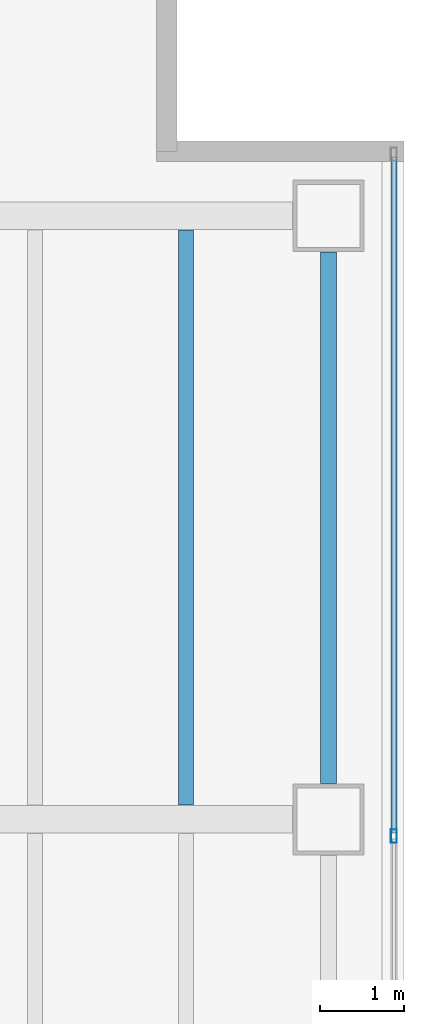
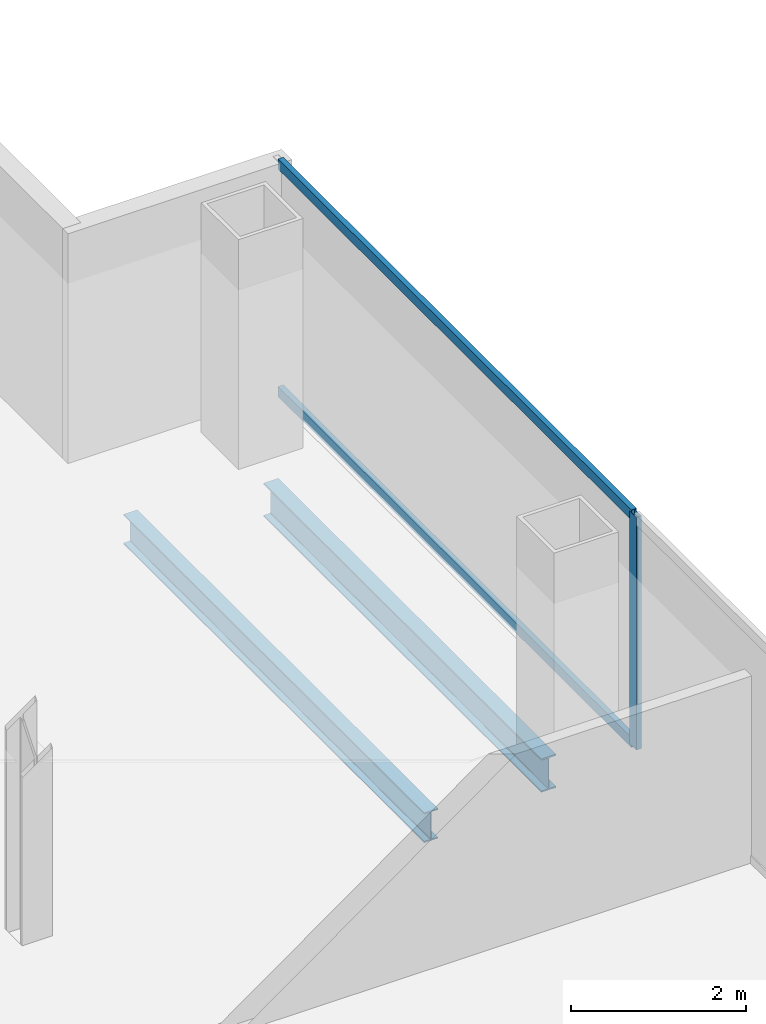
# One storey, part 14 of 23: 3 members, 2 beams, 1 element without a shape of its own.
"""IFC4 building model written with IfcOpenShell, lengths in metres."""

from ifc_helpers import new_model, si_unit, direction, frame, origin, origin_2d, place, context, subcontext, project, spatial, hollow_rectangle, i_section, extrude, material, material_profile, profile_set, type_object, element, aggregate, save


model = new_model("IFC4")

# Units and contexts
model_context = context("Model", 3, precision=1e-05, world=origin(), true_north=direction((0.0, 1.0)))
body_context = subcontext(model_context, "Body", "Model", "MODEL_VIEW")
ifc_project = project(units=[si_unit("LENGTHUNIT", "METRE"), si_unit("AREAUNIT", "SQUARE_METRE"), si_unit("VOLUMEUNIT", "CUBIC_METRE"), si_unit("PLANEANGLEUNIT", "RADIAN"), si_unit("MASSUNIT", "GRAM", prefix="KILO")], contexts=[model_context])

# Site, building, storey
site_placement = place(None, origin())
site = spatial("IfcSite", under=ifc_project, at=site_placement, CompositionType="ELEMENT")
building_placement = place(site_placement, origin())
building = spatial("IfcBuilding", under=site, at=building_placement, Name="Cobrela Telecom Tower", CompositionType="ELEMENT")
storey_placement = place(building_placement, frame((0.0, 0.0, 173.25)))
storey = spatial("IfcBuildingStorey", under=building, at=storey_placement, Name="L43", CompositionType="ELEMENT", Elevation=173.25)

# Beams
ifc_material_1 = material(Name="Steel ASTM A992 Grade 50", Category="steel")
ifc_material_profile_1 = material_profile(ifc_material_1, i_section(OverallWidth=0.179931640625, OverallDepth=0.4169921875, WebThickness=0.010986328125, FlangeThickness=0.01806640625, FilletRadius=0.011962890625, at=origin_2d()), Name="W16X57")
ifc_profile_set_1 = profile_set([ifc_material_profile_1], Name="Steel ASTM A992 Grade 50")
beam_type_1 = type_object("IfcBeamType", Name="BM-JOIST-04", PredefinedType="JOIST", material=ifc_profile_set_1)
beam_1_placement = place(storey_placement, frame((41.39990234375, 14.569091796875, -0.468505859375), z_axis=(0.0, 1.0, 0.0), x_axis=(-1.0, 0.0, 0.0)))
element("IfcBeam", 1, at=beam_1_placement, inside=storey, type_object=beam_type_1, Name="L43 Secondary Composite Floor Beam J30", PredefinedType="JOIST", context=body_context, shape_type="SweptSolid", body=[
    extrude(i_section(OverallWidth=0.179931640625, OverallDepth=0.4169921875, WebThickness=0.010986328125, FlangeThickness=0.01806640625, FilletRadius=0.011962890625, at=origin_2d()), origin(), (0.0, 0.0, 1.0), 6.86181640625),
])
ifc_material_profile_2 = material_profile(ifc_material_1, i_section(OverallWidth=0.193115234375, OverallDepth=0.467041015625, WebThickness=0.011474609375, FlangeThickness=0.01904296875, FilletRadius=0.012939453125, at=origin_2d()), Name="W18X65")
ifc_profile_set_2 = profile_set([ifc_material_profile_2], Name="Steel ASTM A992 Grade 50")
beam_type_2 = type_object("IfcBeamType", Name="BM-SPAND-05", PredefinedType="SPANDREL", material=ifc_profile_set_2)
beam_2_placement = place(storey_placement, frame((43.10009765625, 14.830078125, -0.493408203125), z_axis=(0.0, 1.0, 0.0), x_axis=(-1.0, 0.0, 0.0)))
element("IfcBeam", 2, at=beam_2_placement, inside=storey, type_object=beam_type_2, Name="L43 Perimeter Spandrel Y43", PredefinedType="SPANDREL", context=body_context, shape_type="SweptSolid", body=[
    extrude(i_section(OverallWidth=0.193115234375, OverallDepth=0.467041015625, WebThickness=0.011474609375, FlangeThickness=0.01904296875, FilletRadius=0.012939453125, at=origin_2d()), origin(), (0.0, 0.0, 1.0), 6.33984375),
])

# Curtain wall, members
ifc_material_2 = material(Name="Anodized Bronze Aluminium 6063-T6", Category="aluminium")
curtain_wall_type = type_object("IfcCurtainWallType", Name="CW-SYS-OFF-LO", PredefinedType="USERDEFINED", material=ifc_material_2)
curtain_wall_placement = place(storey_placement, origin())
curtain_wall = element("IfcCurtainWall", 3, at=curtain_wall_placement, inside=storey, type_object=curtain_wall_type, Name="L43 Unitised Bronze Curtain Wall 14", ObjectType="UNITISED CURTAIN WALL", PredefinedType="USERDEFINED")
ifc_material_profile_3 = material_profile(ifc_material_2, hollow_rectangle(XDim=0.070068359375, YDim=0.159912109375, WallThickness=0.00390625, at=origin_2d()), Name="ALU 70x160x4")
ifc_profile_set_3 = profile_set([ifc_material_profile_3], Name="Anodized Bronze Aluminium 6063-T6")
member_type_1 = type_object("IfcMemberType", Name="CW-SYS-OFF-LO-MUL", PredefinedType="MULLION", material=ifc_profile_set_3)
member_1_placement = place(storey_placement, frame((43.8798828125, 14.199951171875, 0.0), z_axis=(0.0, 0.0, 1.0), x_axis=(1.0, 0.0, 0.0)))
member_1 = element("IfcMember", 4, at=member_1_placement, type_object=member_type_1, Name="CW-OFF-LO mullion 2", PredefinedType="MULLION", context=body_context, shape_type="SweptSolid", body=[
    extrude(hollow_rectangle(XDim=0.070068359375, YDim=0.159912109375, WallThickness=0.00390625, at=origin_2d()), origin(), (0.0, 0.0, 1.0), 3.239990234375),
])
ifc_material_profile_4 = material_profile(ifc_material_2, hollow_rectangle(XDim=0.070068359375, YDim=0.139892578125, WallThickness=0.00390625, at=origin_2d()), Name="ALU 70x140x4")
ifc_profile_set_4 = profile_set([ifc_material_profile_4], Name="Anodized Bronze Aluminium 6063-T6")
member_type_2 = type_object("IfcMemberType", Name="CW-SYS-OFF-LO-TRN", PredefinedType="USERDEFINED", material=ifc_profile_set_4)
member_2_placement = place(storey_placement, frame((43.8798828125, 22.300048828125, 0.034912109375), z_axis=(0.0, -1.0, 0.0), x_axis=(1.0, 0.0, 0.0)))
member_2 = element("IfcMember", 5, at=member_2_placement, type_object=member_type_2, Name="CW-OFF-LO transom 1.1", ObjectType="TRANSOM", PredefinedType="USERDEFINED", context=body_context, shape_type="SweptSolid", body=[
    extrude(hollow_rectangle(XDim=0.070068359375, YDim=0.139892578125, WallThickness=0.00390625, at=origin_2d()), origin(), (0.0, 0.0, 1.0), 8.06494140625),
])
member_3_placement = place(storey_placement, frame((43.8798828125, 22.300048828125, 3.205078125), z_axis=(0.0, -1.0, 0.0), x_axis=(1.0, 0.0, 0.0)))
member_3 = element("IfcMember", 6, at=member_3_placement, type_object=member_type_2, Name="CW-OFF-LO transom 1.2", ObjectType="TRANSOM", PredefinedType="USERDEFINED", context=body_context, shape_type="SweptSolid", body=[
    extrude(hollow_rectangle(XDim=0.070068359375, YDim=0.139892578125, WallThickness=0.00390625, at=origin_2d()), origin(), (0.0, 0.0, 1.0), 8.06494140625),
])
aggregate(curtain_wall, [member_1, member_2, member_3])

save(model, "model.ifc")
